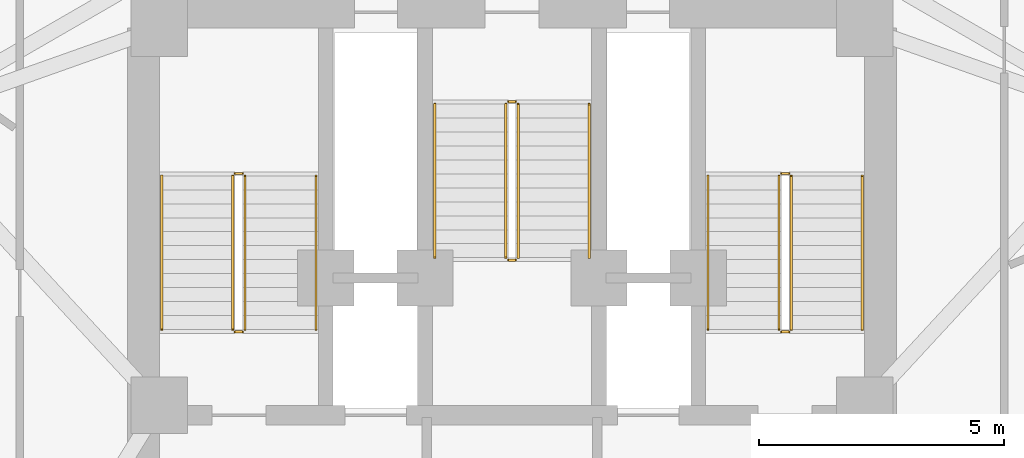
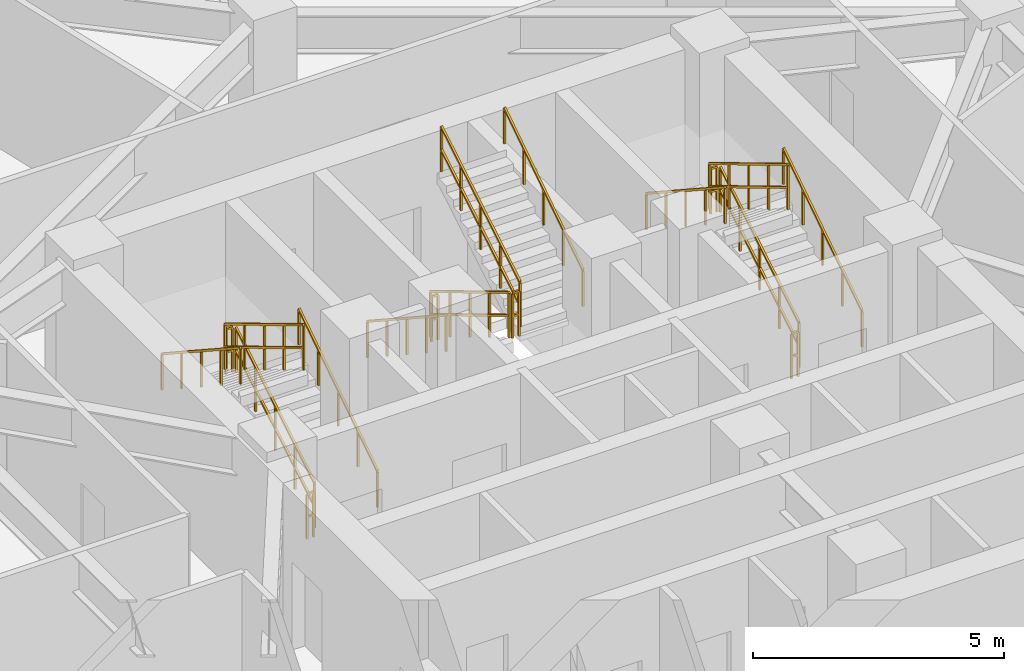
# One storey, part 9 of 10: 18 railings.
"""IFC4 building model written with IfcOpenShell, lengths in metres."""

from ifc_helpers import new_model, si_unit, direction, frame, origin, origin_2d, place, context, subcontext, project, spatial, rectangle, extrude, material, type_object, element, save


model = new_model("IFC4")

# Units and contexts
model_context = context("Model", 3, precision=1e-05, world=origin(), true_north=direction((0.0, 1.0)))
body_context = subcontext(model_context, "Body", "Model", "MODEL_VIEW")
ifc_project = project(units=[si_unit("LENGTHUNIT", "METRE"), si_unit("AREAUNIT", "SQUARE_METRE"), si_unit("VOLUMEUNIT", "CUBIC_METRE"), si_unit("PLANEANGLEUNIT", "RADIAN"), si_unit("MASSUNIT", "GRAM", prefix="KILO")], contexts=[model_context])

# Site, building, storey
site_placement = place(None, origin())
site = spatial("IfcSite", under=ifc_project, at=site_placement, CompositionType="ELEMENT")
building_placement = place(site_placement, origin())
building = spatial("IfcBuilding", under=site, at=building_placement, Name="Apsidion Concourse Tower", CompositionType="ELEMENT")
storey_placement = place(building_placement, frame((0.0, 0.0, 210.60009765625)))
storey = spatial("IfcBuildingStorey", under=building, at=storey_placement, Name="L49", CompositionType="ELEMENT", Elevation=210.60009765625)

# Railings
ifc_material = material(Name="Brushed stainless steel 316", Category="steel")
railing_type_1 = type_object("IfcRailingType", Name="RL-GUARD-1100", PredefinedType="GUARDRAIL", material=ifc_material)
railing_1_placement = place(storey_placement, frame((-5.449951171875, 3.0, 0.170654296875)))
element("IfcRailing", 1, at=railing_1_placement, inside=storey, type_object=railing_type_1, Name="L49 ST1 stair guard 1", PredefinedType="GUARDRAIL", context=body_context, shape_type="SweptSolid", body=[
    extrude(rectangle(XDim=0.048095703125, YDim=0.048095703125, at=origin_2d()), frame((0.0, 0.0, 1.09619140625), z_axis=(0.0, 0.857716804754, 0.514122439544), x_axis=(-1.0, 0.0, 0.0)), (0.0, 0.0, 1.0), 3.655029296875),
    extrude(rectangle(XDim=0.048095703125, YDim=0.048095703125, at=origin_2d()), frame((0.0, 0.0, 0.5361328125), z_axis=(0.0, 0.857716804754, 0.514122439544), x_axis=(-1.0, 0.0, 0.0)), (0.0, 0.0, 1.0), 3.655029296875),
    extrude(rectangle(XDim=0.0419921875, YDim=0.0419921875, at=origin_2d()), origin(), (0.0, 0.0, 1.0), 1.072021484375),
    extrude(rectangle(XDim=0.0419921875, YDim=0.0419921875, at=origin_2d()), frame((0.0, 0.78369140625, 0.4697265625)), (0.0, 0.0, 1.0), 1.072021484375),
    extrude(rectangle(XDim=0.0419921875, YDim=0.0419921875, at=origin_2d()), frame((0.0, 1.5673828125, 0.939453125)), (0.0, 0.0, 1.0), 1.072021484375),
    extrude(rectangle(XDim=0.0419921875, YDim=0.0419921875, at=origin_2d()), frame((0.0, 2.351318359375, 1.409423828125)), (0.0, 0.0, 1.0), 1.072021484375),
    extrude(rectangle(XDim=0.0419921875, YDim=0.0419921875, at=origin_2d()), frame((0.0, 3.135009765625, 1.879150390625)), (0.0, 0.0, 1.0), 1.072021484375),
])
railing_2_placement = place(storey_placement, frame((-5.5, 6.18505859375, 2.0498046875)))
element("IfcRailing", 2, at=railing_2_placement, inside=storey, type_object=railing_type_1, Name="L49 ST1 stair guard 2", PredefinedType="GUARDRAIL", context=body_context, shape_type="SweptSolid", body=[
    extrude(rectangle(XDim=0.048095703125, YDim=0.048095703125, at=origin_2d()), frame((0.0, 0.0, 1.09619140625), z_axis=(-1.0, 0.0, 0.0), x_axis=(0.0, -1.0, 0.0)), (0.0, 0.0, 1.0), 0.14990234375),
    extrude(rectangle(XDim=0.048095703125, YDim=0.048095703125, at=origin_2d()), frame((0.0, 0.0, 0.5361328125), z_axis=(-1.0, 0.0, 0.0), x_axis=(0.0, -1.0, 0.0)), (0.0, 0.0, 1.0), 0.14990234375),
    extrude(rectangle(XDim=0.0419921875, YDim=0.0419921875, at=origin_2d()), origin(), (0.0, 0.0, 1.0), 1.072021484375),
    extrude(rectangle(XDim=0.0419921875, YDim=0.0419921875, at=origin_2d()), frame((-0.14990234375, 0.0, 0.0)), (0.0, 0.0, 1.0), 1.072021484375),
])
railing_3_placement = place(storey_placement, frame((-5.699951171875, 6.135009765625, 2.220703125)))
element("IfcRailing", 3, at=railing_3_placement, inside=storey, type_object=railing_type_1, Name="L49 ST1 stair guard 3", PredefinedType="GUARDRAIL", context=body_context, shape_type="SweptSolid", body=[
    extrude(rectangle(XDim=0.048095703125, YDim=0.048095703125, at=origin_2d()), frame((0.0, 0.0, 1.09619140625), z_axis=(0.0, -0.857716804754, 0.514122439544), x_axis=(1.0, 0.0, 0.0)), (0.0, 0.0, 1.0), 3.655029296875),
    extrude(rectangle(XDim=0.048095703125, YDim=0.048095703125, at=origin_2d()), frame((0.0, 0.0, 0.5361328125), z_axis=(0.0, -0.857716804754, 0.514122439544), x_axis=(1.0, 0.0, 0.0)), (0.0, 0.0, 1.0), 3.655029296875),
    extrude(rectangle(XDim=0.0419921875, YDim=0.0419921875, at=origin_2d()), origin(), (0.0, 0.0, 1.0), 1.072021484375),
    extrude(rectangle(XDim=0.0419921875, YDim=0.0419921875, at=origin_2d()), frame((0.0, -0.78369140625, 0.4697265625)), (0.0, 0.0, 1.0), 1.072021484375),
    extrude(rectangle(XDim=0.0419921875, YDim=0.0419921875, at=origin_2d()), frame((0.0, -1.5673828125, 0.939453125)), (0.0, 0.0, 1.0), 1.072021484375),
    extrude(rectangle(XDim=0.0419921875, YDim=0.0419921875, at=origin_2d()), frame((0.0, -2.351318359375, 1.409423828125)), (0.0, 0.0, 1.0), 1.072021484375),
    extrude(rectangle(XDim=0.0419921875, YDim=0.0419921875, at=origin_2d()), frame((0.0, -3.135009765625, 1.879150390625)), (0.0, 0.0, 1.0), 1.072021484375),
])
railing_4_placement = place(storey_placement, frame((-5.5, 2.949951171875, 0.0)))
element("IfcRailing", 4, at=railing_4_placement, inside=storey, type_object=railing_type_1, Name="L49 ST1 stair guard 4", PredefinedType="GUARDRAIL", context=body_context, shape_type="SweptSolid", body=[
    extrude(rectangle(XDim=0.048095703125, YDim=0.048095703125, at=origin_2d()), frame((0.0, 0.0, 1.09619140625), z_axis=(-1.0, 0.0, 0.0), x_axis=(0.0, -1.0, 0.0)), (0.0, 0.0, 1.0), 0.14990234375),
    extrude(rectangle(XDim=0.048095703125, YDim=0.048095703125, at=origin_2d()), frame((0.0, 0.0, 0.5361328125), z_axis=(-1.0, 0.0, 0.0), x_axis=(0.0, -1.0, 0.0)), (0.0, 0.0, 1.0), 0.14990234375),
    extrude(rectangle(XDim=0.0419921875, YDim=0.0419921875, at=origin_2d()), origin(), (0.0, 0.0, 1.0), 1.072021484375),
    extrude(rectangle(XDim=0.0419921875, YDim=0.0419921875, at=origin_2d()), frame((-0.14990234375, 0.0, 0.0)), (0.0, 0.0, 1.0), 1.072021484375),
])
railing_5_placement = place(storey_placement, frame((5.699951171875, 3.0, 0.170654296875)))
element("IfcRailing", 5, at=railing_5_placement, inside=storey, type_object=railing_type_1, Name="L49 ST2 stair guard 1", PredefinedType="GUARDRAIL", context=body_context, shape_type="SweptSolid", body=[
    extrude(rectangle(XDim=0.048095703125, YDim=0.048095703125, at=origin_2d()), frame((0.0, 0.0, 1.09619140625), z_axis=(0.0, 0.857716804754, 0.514122439544), x_axis=(-1.0, 0.0, 0.0)), (0.0, 0.0, 1.0), 3.655029296875),
    extrude(rectangle(XDim=0.048095703125, YDim=0.048095703125, at=origin_2d()), frame((0.0, 0.0, 0.5361328125), z_axis=(0.0, 0.857716804754, 0.514122439544), x_axis=(-1.0, 0.0, 0.0)), (0.0, 0.0, 1.0), 3.655029296875),
    extrude(rectangle(XDim=0.0419921875, YDim=0.0419921875, at=origin_2d()), origin(), (0.0, 0.0, 1.0), 1.072021484375),
    extrude(rectangle(XDim=0.0419921875, YDim=0.0419921875, at=origin_2d()), frame((0.0, 0.78369140625, 0.4697265625)), (0.0, 0.0, 1.0), 1.072021484375),
    extrude(rectangle(XDim=0.0419921875, YDim=0.0419921875, at=origin_2d()), frame((0.0, 1.5673828125, 0.939453125)), (0.0, 0.0, 1.0), 1.072021484375),
    extrude(rectangle(XDim=0.0419921875, YDim=0.0419921875, at=origin_2d()), frame((0.0, 2.351318359375, 1.409423828125)), (0.0, 0.0, 1.0), 1.072021484375),
    extrude(rectangle(XDim=0.0419921875, YDim=0.0419921875, at=origin_2d()), frame((0.0, 3.135009765625, 1.879150390625)), (0.0, 0.0, 1.0), 1.072021484375),
])
railing_6_placement = place(storey_placement, frame((5.64990234375, 6.18505859375, 2.0498046875)))
element("IfcRailing", 6, at=railing_6_placement, inside=storey, type_object=railing_type_1, Name="L49 ST2 stair guard 2", PredefinedType="GUARDRAIL", context=body_context, shape_type="SweptSolid", body=[
    extrude(rectangle(XDim=0.048095703125, YDim=0.048095703125, at=origin_2d()), frame((0.0, 0.0, 1.09619140625), z_axis=(-1.0, 0.0, 0.0), x_axis=(0.0, -1.0, 0.0)), (0.0, 0.0, 1.0), 0.14990234375),
    extrude(rectangle(XDim=0.048095703125, YDim=0.048095703125, at=origin_2d()), frame((0.0, 0.0, 0.5361328125), z_axis=(-1.0, 0.0, 0.0), x_axis=(0.0, -1.0, 0.0)), (0.0, 0.0, 1.0), 0.14990234375),
    extrude(rectangle(XDim=0.0419921875, YDim=0.0419921875, at=origin_2d()), origin(), (0.0, 0.0, 1.0), 1.072021484375),
    extrude(rectangle(XDim=0.0419921875, YDim=0.0419921875, at=origin_2d()), frame((-0.14990234375, 0.0, 0.0)), (0.0, 0.0, 1.0), 1.072021484375),
])
railing_7_placement = place(storey_placement, frame((5.449951171875, 6.135009765625, 2.220703125)))
element("IfcRailing", 7, at=railing_7_placement, inside=storey, type_object=railing_type_1, Name="L49 ST2 stair guard 3", PredefinedType="GUARDRAIL", context=body_context, shape_type="SweptSolid", body=[
    extrude(rectangle(XDim=0.048095703125, YDim=0.048095703125, at=origin_2d()), frame((0.0, 0.0, 1.09619140625), z_axis=(0.0, -0.857716804754, 0.514122439544), x_axis=(1.0, 0.0, 0.0)), (0.0, 0.0, 1.0), 3.655029296875),
    extrude(rectangle(XDim=0.048095703125, YDim=0.048095703125, at=origin_2d()), frame((0.0, 0.0, 0.5361328125), z_axis=(0.0, -0.857716804754, 0.514122439544), x_axis=(1.0, 0.0, 0.0)), (0.0, 0.0, 1.0), 3.655029296875),
    extrude(rectangle(XDim=0.0419921875, YDim=0.0419921875, at=origin_2d()), origin(), (0.0, 0.0, 1.0), 1.072021484375),
    extrude(rectangle(XDim=0.0419921875, YDim=0.0419921875, at=origin_2d()), frame((0.0, -0.78369140625, 0.4697265625)), (0.0, 0.0, 1.0), 1.072021484375),
    extrude(rectangle(XDim=0.0419921875, YDim=0.0419921875, at=origin_2d()), frame((0.0, -1.5673828125, 0.939453125)), (0.0, 0.0, 1.0), 1.072021484375),
    extrude(rectangle(XDim=0.0419921875, YDim=0.0419921875, at=origin_2d()), frame((0.0, -2.351318359375, 1.409423828125)), (0.0, 0.0, 1.0), 1.072021484375),
    extrude(rectangle(XDim=0.0419921875, YDim=0.0419921875, at=origin_2d()), frame((0.0, -3.135009765625, 1.879150390625)), (0.0, 0.0, 1.0), 1.072021484375),
])
railing_8_placement = place(storey_placement, frame((5.64990234375, 2.949951171875, 0.0)))
element("IfcRailing", 8, at=railing_8_placement, inside=storey, type_object=railing_type_1, Name="L49 ST2 stair guard 4", PredefinedType="GUARDRAIL", context=body_context, shape_type="SweptSolid", body=[
    extrude(rectangle(XDim=0.048095703125, YDim=0.048095703125, at=origin_2d()), frame((0.0, 0.0, 1.09619140625), z_axis=(-1.0, 0.0, 0.0), x_axis=(0.0, -1.0, 0.0)), (0.0, 0.0, 1.0), 0.14990234375),
    extrude(rectangle(XDim=0.048095703125, YDim=0.048095703125, at=origin_2d()), frame((0.0, 0.0, 0.5361328125), z_axis=(-1.0, 0.0, 0.0), x_axis=(0.0, -1.0, 0.0)), (0.0, 0.0, 1.0), 0.14990234375),
    extrude(rectangle(XDim=0.0419921875, YDim=0.0419921875, at=origin_2d()), origin(), (0.0, 0.0, 1.0), 1.072021484375),
    extrude(rectangle(XDim=0.0419921875, YDim=0.0419921875, at=origin_2d()), frame((-0.14990234375, 0.0, 0.0)), (0.0, 0.0, 1.0), 1.072021484375),
])
railing_9_placement = place(storey_placement, frame((-0.125, 7.60009765625, 0.170654296875)))
element("IfcRailing", 9, at=railing_9_placement, inside=storey, type_object=railing_type_1, Name="L49 ST3 stair guard 1", PredefinedType="GUARDRAIL", context=body_context, shape_type="SweptSolid", body=[
    extrude(rectangle(XDim=0.048095703125, YDim=0.048095703125, at=origin_2d()), frame((0.0, 0.0, 1.09619140625), z_axis=(0.0, -0.857716804754, 0.514122439544), x_axis=(1.0, 0.0, 0.0)), (0.0, 0.0, 1.0), 3.655029296875),
    extrude(rectangle(XDim=0.048095703125, YDim=0.048095703125, at=origin_2d()), frame((0.0, 0.0, 0.5361328125), z_axis=(0.0, -0.857716804754, 0.514122439544), x_axis=(1.0, 0.0, 0.0)), (0.0, 0.0, 1.0), 3.655029296875),
    extrude(rectangle(XDim=0.0419921875, YDim=0.0419921875, at=origin_2d()), origin(), (0.0, 0.0, 1.0), 1.072021484375),
    extrude(rectangle(XDim=0.0419921875, YDim=0.0419921875, at=origin_2d()), frame((0.0, -0.78369140625, 0.4697265625)), (0.0, 0.0, 1.0), 1.072021484375),
    extrude(rectangle(XDim=0.0419921875, YDim=0.0419921875, at=origin_2d()), frame((0.0, -1.5673828125, 0.939453125)), (0.0, 0.0, 1.0), 1.072021484375),
    extrude(rectangle(XDim=0.0419921875, YDim=0.0419921875, at=origin_2d()), frame((0.0, -2.351318359375, 1.409423828125)), (0.0, 0.0, 1.0), 1.072021484375),
    extrude(rectangle(XDim=0.0419921875, YDim=0.0419921875, at=origin_2d()), frame((0.0, -3.135009765625, 1.879150390625)), (0.0, 0.0, 1.0), 1.072021484375),
])
railing_10_placement = place(storey_placement, frame((-0.074951171875, 4.4150390625, 2.0498046875)))
element("IfcRailing", 10, at=railing_10_placement, inside=storey, type_object=railing_type_1, Name="L49 ST3 stair guard 2", PredefinedType="GUARDRAIL", context=body_context, shape_type="SweptSolid", body=[
    extrude(rectangle(XDim=0.048095703125, YDim=0.048095703125, at=origin_2d()), frame((0.0, 0.0, 1.09619140625), z_axis=(1.0, 0.0, 0.0), x_axis=(0.0, 1.0, 0.0)), (0.0, 0.0, 1.0), 0.14990234375),
    extrude(rectangle(XDim=0.048095703125, YDim=0.048095703125, at=origin_2d()), frame((0.0, 0.0, 0.5361328125), z_axis=(1.0, 0.0, 0.0), x_axis=(0.0, 1.0, 0.0)), (0.0, 0.0, 1.0), 0.14990234375),
    extrude(rectangle(XDim=0.0419921875, YDim=0.0419921875, at=origin_2d()), origin(), (0.0, 0.0, 1.0), 1.072021484375),
    extrude(rectangle(XDim=0.0419921875, YDim=0.0419921875, at=origin_2d()), frame((0.14990234375, 0.0, 0.0)), (0.0, 0.0, 1.0), 1.072021484375),
])
railing_11_placement = place(storey_placement, frame((0.125, 4.465087890625, 2.220703125)))
element("IfcRailing", 11, at=railing_11_placement, inside=storey, type_object=railing_type_1, Name="L49 ST3 stair guard 3", PredefinedType="GUARDRAIL", context=body_context, shape_type="SweptSolid", body=[
    extrude(rectangle(XDim=0.048095703125, YDim=0.048095703125, at=origin_2d()), frame((0.0, 0.0, 1.09619140625), z_axis=(0.0, 0.857716804754, 0.514122439544), x_axis=(-1.0, 0.0, 0.0)), (0.0, 0.0, 1.0), 3.655029296875),
    extrude(rectangle(XDim=0.048095703125, YDim=0.048095703125, at=origin_2d()), frame((0.0, 0.0, 0.5361328125), z_axis=(0.0, 0.857716804754, 0.514122439544), x_axis=(-1.0, 0.0, 0.0)), (0.0, 0.0, 1.0), 3.655029296875),
    extrude(rectangle(XDim=0.0419921875, YDim=0.0419921875, at=origin_2d()), origin(), (0.0, 0.0, 1.0), 1.072021484375),
    extrude(rectangle(XDim=0.0419921875, YDim=0.0419921875, at=origin_2d()), frame((0.0, 0.78369140625, 0.4697265625)), (0.0, 0.0, 1.0), 1.072021484375),
    extrude(rectangle(XDim=0.0419921875, YDim=0.0419921875, at=origin_2d()), frame((0.0, 1.5673828125, 0.939453125)), (0.0, 0.0, 1.0), 1.072021484375),
    extrude(rectangle(XDim=0.0419921875, YDim=0.0419921875, at=origin_2d()), frame((0.0, 2.351318359375, 1.409423828125)), (0.0, 0.0, 1.0), 1.072021484375),
    extrude(rectangle(XDim=0.0419921875, YDim=0.0419921875, at=origin_2d()), frame((0.0, 3.135009765625, 1.879150390625)), (0.0, 0.0, 1.0), 1.072021484375),
])
railing_12_placement = place(storey_placement, frame((-0.074951171875, 7.64990234375, 0.0)))
element("IfcRailing", 12, at=railing_12_placement, inside=storey, type_object=railing_type_1, Name="L49 ST3 stair guard 4", PredefinedType="GUARDRAIL", context=body_context, shape_type="SweptSolid", body=[
    extrude(rectangle(XDim=0.048095703125, YDim=0.048095703125, at=origin_2d()), frame((0.0, 0.0, 1.09619140625), z_axis=(1.0, 0.0, 0.0), x_axis=(0.0, 1.0, 0.0)), (0.0, 0.0, 1.0), 0.14990234375),
    extrude(rectangle(XDim=0.048095703125, YDim=0.048095703125, at=origin_2d()), frame((0.0, 0.0, 0.5361328125), z_axis=(1.0, 0.0, 0.0), x_axis=(0.0, 1.0, 0.0)), (0.0, 0.0, 1.0), 0.14990234375),
    extrude(rectangle(XDim=0.0419921875, YDim=0.0419921875, at=origin_2d()), origin(), (0.0, 0.0, 1.0), 1.072021484375),
    extrude(rectangle(XDim=0.0419921875, YDim=0.0419921875, at=origin_2d()), frame((0.14990234375, 0.0, 0.0)), (0.0, 0.0, 1.0), 1.072021484375),
])
railing_type_2 = type_object("IfcRailingType", Name="RL-HAND-900", PredefinedType="HANDRAIL", material=ifc_material)
railing_13_placement = place(storey_placement, frame((-4.0, 3.0, 0.170654296875)))
element("IfcRailing", 13, at=railing_13_placement, inside=storey, type_object=railing_type_2, Name="L49 ST1 stair handrail 1", PredefinedType="HANDRAIL", context=body_context, shape_type="SweptSolid", body=[
    extrude(rectangle(XDim=0.048095703125, YDim=0.048095703125, at=origin_2d()), frame((0.0, 0.0, 0.8759765625), z_axis=(0.0, 0.836940907821, 0.547293263996), x_axis=(-1.0, 0.0, 0.0)), (0.0, 0.0, 1.0), 3.745849609375),
    extrude(rectangle(XDim=0.0419921875, YDim=0.0419921875, at=origin_2d()), origin(), (0.0, 0.0, 1.0), 0.851806640625),
    extrude(rectangle(XDim=0.0419921875, YDim=0.0419921875, at=origin_2d()), frame((0.0, 0.78369140625, 0.512451171875)), (0.0, 0.0, 1.0), 0.851806640625),
    extrude(rectangle(XDim=0.0419921875, YDim=0.0419921875, at=origin_2d()), frame((0.0, 1.5673828125, 1.02490234375)), (0.0, 0.0, 1.0), 0.851806640625),
    extrude(rectangle(XDim=0.0419921875, YDim=0.0419921875, at=origin_2d()), frame((0.0, 2.351318359375, 1.53759765625)), (0.0, 0.0, 1.0), 0.851806640625),
    extrude(rectangle(XDim=0.0419921875, YDim=0.0419921875, at=origin_2d()), frame((0.0, 3.135009765625, 2.050048828125)), (0.0, 0.0, 1.0), 0.851806640625),
])
railing_14_placement = place(storey_placement, frame((-7.14990234375, 6.135009765625, 2.220703125)))
element("IfcRailing", 14, at=railing_14_placement, inside=storey, type_object=railing_type_2, Name="L49 ST1 stair handrail 2", PredefinedType="HANDRAIL", context=body_context, shape_type="SweptSolid", body=[
    extrude(rectangle(XDim=0.048095703125, YDim=0.048095703125, at=origin_2d()), frame((0.0, 0.0, 0.8759765625), z_axis=(0.0, -0.836940907821, 0.547293263996), x_axis=(1.0, 0.0, 0.0)), (0.0, 0.0, 1.0), 3.745849609375),
    extrude(rectangle(XDim=0.0419921875, YDim=0.0419921875, at=origin_2d()), origin(), (0.0, 0.0, 1.0), 0.851806640625),
    extrude(rectangle(XDim=0.0419921875, YDim=0.0419921875, at=origin_2d()), frame((0.0, -0.78369140625, 0.512451171875)), (0.0, 0.0, 1.0), 0.851806640625),
    extrude(rectangle(XDim=0.0419921875, YDim=0.0419921875, at=origin_2d()), frame((0.0, -1.5673828125, 1.02490234375)), (0.0, 0.0, 1.0), 0.851806640625),
    extrude(rectangle(XDim=0.0419921875, YDim=0.0419921875, at=origin_2d()), frame((0.0, -2.351318359375, 1.53759765625)), (0.0, 0.0, 1.0), 0.851806640625),
    extrude(rectangle(XDim=0.0419921875, YDim=0.0419921875, at=origin_2d()), frame((0.0, -3.135009765625, 2.050048828125)), (0.0, 0.0, 1.0), 0.851806640625),
])
railing_15_placement = place(storey_placement, frame((7.14990234375, 3.0, 0.170654296875)))
element("IfcRailing", 15, at=railing_15_placement, inside=storey, type_object=railing_type_2, Name="L49 ST2 stair handrail 1", PredefinedType="HANDRAIL", context=body_context, shape_type="SweptSolid", body=[
    extrude(rectangle(XDim=0.048095703125, YDim=0.048095703125, at=origin_2d()), frame((0.0, 0.0, 0.8759765625), z_axis=(0.0, 0.836940907821, 0.547293263996), x_axis=(-1.0, 0.0, 0.0)), (0.0, 0.0, 1.0), 3.745849609375),
    extrude(rectangle(XDim=0.0419921875, YDim=0.0419921875, at=origin_2d()), origin(), (0.0, 0.0, 1.0), 0.851806640625),
    extrude(rectangle(XDim=0.0419921875, YDim=0.0419921875, at=origin_2d()), frame((0.0, 0.78369140625, 0.512451171875)), (0.0, 0.0, 1.0), 0.851806640625),
    extrude(rectangle(XDim=0.0419921875, YDim=0.0419921875, at=origin_2d()), frame((0.0, 1.5673828125, 1.02490234375)), (0.0, 0.0, 1.0), 0.851806640625),
    extrude(rectangle(XDim=0.0419921875, YDim=0.0419921875, at=origin_2d()), frame((0.0, 2.351318359375, 1.53759765625)), (0.0, 0.0, 1.0), 0.851806640625),
    extrude(rectangle(XDim=0.0419921875, YDim=0.0419921875, at=origin_2d()), frame((0.0, 3.135009765625, 2.050048828125)), (0.0, 0.0, 1.0), 0.851806640625),
])
for number, where, name in (
    (16, (4.0, 6.135009765625, 2.220703125), "L49 ST2 stair handrail 2"),
    (17, (-1.574951171875, 7.60009765625, 0.170654296875), "L49 ST3 stair handrail 1"),
):
    element("IfcRailing", number, at=place(storey_placement, frame(where)), inside=storey, type_object=railing_type_2, Name=name, PredefinedType="HANDRAIL", context=body_context, shape_type="SweptSolid", body=[
        extrude(rectangle(XDim=0.048095703125, YDim=0.048095703125, at=origin_2d()), frame((0.0, 0.0, 0.8759765625), z_axis=(0.0, -0.836940907821, 0.547293263996), x_axis=(1.0, 0.0, 0.0)), (0.0, 0.0, 1.0), 3.745849609375),
        extrude(rectangle(XDim=0.0419921875, YDim=0.0419921875, at=origin_2d()), origin(), (0.0, 0.0, 1.0), 0.851806640625),
        extrude(rectangle(XDim=0.0419921875, YDim=0.0419921875, at=origin_2d()), frame((0.0, -0.78369140625, 0.512451171875)), (0.0, 0.0, 1.0), 0.851806640625),
        extrude(rectangle(XDim=0.0419921875, YDim=0.0419921875, at=origin_2d()), frame((0.0, -1.5673828125, 1.02490234375)), (0.0, 0.0, 1.0), 0.851806640625),
        extrude(rectangle(XDim=0.0419921875, YDim=0.0419921875, at=origin_2d()), frame((0.0, -2.351318359375, 1.53759765625)), (0.0, 0.0, 1.0), 0.851806640625),
        extrude(rectangle(XDim=0.0419921875, YDim=0.0419921875, at=origin_2d()), frame((0.0, -3.135009765625, 2.050048828125)), (0.0, 0.0, 1.0), 0.851806640625),
    ])
railing_16_placement = place(storey_placement, frame((1.574951171875, 4.465087890625, 2.220703125)))
element("IfcRailing", 18, at=railing_16_placement, inside=storey, type_object=railing_type_2, Name="L49 ST3 stair handrail 2", PredefinedType="HANDRAIL", context=body_context, shape_type="SweptSolid", body=[
    extrude(rectangle(XDim=0.048095703125, YDim=0.048095703125, at=origin_2d()), frame((0.0, 0.0, 0.8759765625), z_axis=(0.0, 0.836940907821, 0.547293263996), x_axis=(-1.0, 0.0, 0.0)), (0.0, 0.0, 1.0), 3.745849609375),
    extrude(rectangle(XDim=0.0419921875, YDim=0.0419921875, at=origin_2d()), origin(), (0.0, 0.0, 1.0), 0.851806640625),
    extrude(rectangle(XDim=0.0419921875, YDim=0.0419921875, at=origin_2d()), frame((0.0, 0.78369140625, 0.512451171875)), (0.0, 0.0, 1.0), 0.851806640625),
    extrude(rectangle(XDim=0.0419921875, YDim=0.0419921875, at=origin_2d()), frame((0.0, 1.5673828125, 1.02490234375)), (0.0, 0.0, 1.0), 0.851806640625),
    extrude(rectangle(XDim=0.0419921875, YDim=0.0419921875, at=origin_2d()), frame((0.0, 2.351318359375, 1.53759765625)), (0.0, 0.0, 1.0), 0.851806640625),
    extrude(rectangle(XDim=0.0419921875, YDim=0.0419921875, at=origin_2d()), frame((0.0, 3.135009765625, 2.050048828125)), (0.0, 0.0, 1.0), 0.851806640625),
])

save(model, "model.ifc")
